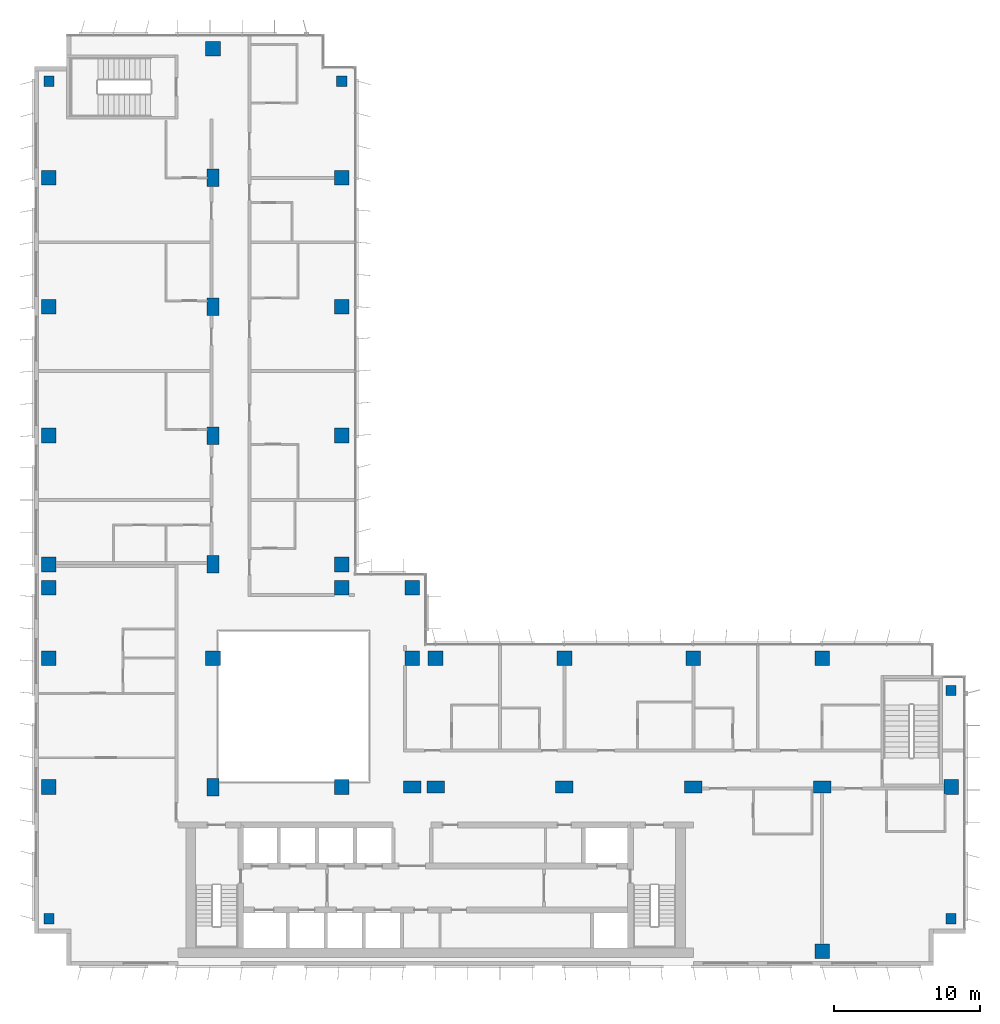
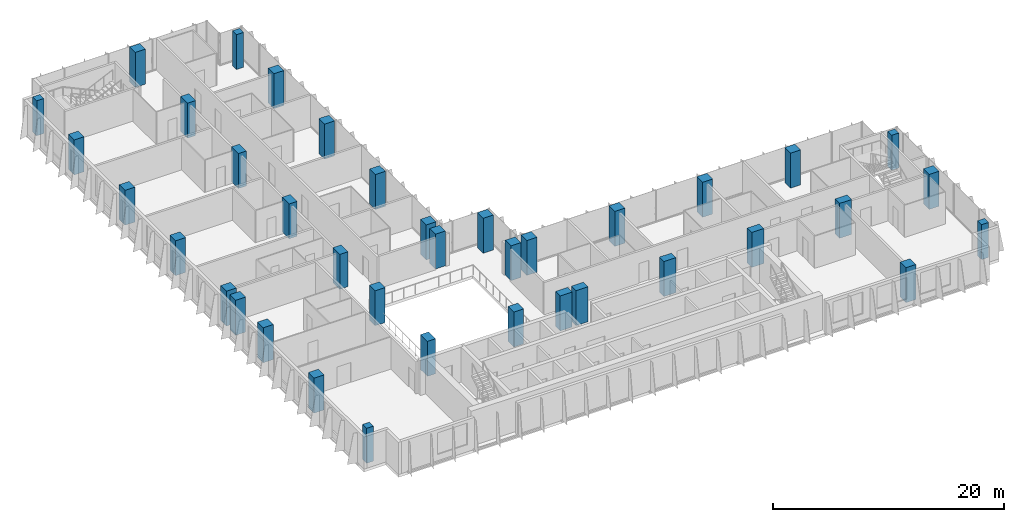
# One storey, part 1 of 20: 38 columns.
"""IFC4 building model written with IfcOpenShell, lengths in metres."""

from ifc_helpers import new_model, si_unit, direction, frame, origin, origin_2d, place, context, subcontext, project, spatial, rectangle, extrude, material, material_profile, profile_set, type_object, element, save


model = new_model("IFC4")

# Units and contexts
model_context = context("Model", 3, precision=1e-05, world=origin(), true_north=direction((0.0, 1.0)))
body_context = subcontext(model_context, "Body", "Model", "MODEL_VIEW")
ifc_project = project(units=[si_unit("LENGTHUNIT", "METRE"), si_unit("AREAUNIT", "SQUARE_METRE"), si_unit("VOLUMEUNIT", "CUBIC_METRE"), si_unit("PLANEANGLEUNIT", "RADIAN"), si_unit("MASSUNIT", "GRAM", prefix="KILO")], contexts=[model_context])

# Site, building, storey
site_placement = place(None, origin())
site = spatial("IfcSite", under=ifc_project, at=site_placement, CompositionType="ELEMENT")
building_placement = place(site_placement, origin())
building = spatial("IfcBuilding", under=site, at=building_placement, Name="Kemantara Hotel Tower", CompositionType="ELEMENT")
storey_placement = place(building_placement, frame((0.0, 0.0, 186.39990234375)))
storey = spatial("IfcBuildingStorey", under=building, at=storey_placement, Name="L46", CompositionType="ELEMENT", Elevation=186.39990234375)

# Columns
ifc_material = material(Name="Concrete fc 60 MPa", Category="concrete")
ifc_material_profile_1 = material_profile(ifc_material, rectangle(XDim=1.0, YDim=1.0, at=origin_2d()), Name="RC 1000X1000")
ifc_profile_set_1 = profile_set([ifc_material_profile_1], Name="Concrete fc 60 MPa")
column_type_1 = type_object("IfcColumnType", Name="RC COLUMN 1000X1000 FC60", PredefinedType="COLUMN", material=ifc_profile_set_1)
for number, where, z_axis, x_axis, name in (
    (1, (1.0, 12.199951171875, 0.0), (0.0, 0.0, 1.0), (1.0, 0.0, 0.0), "COLUMN 1/BA L46"),
    (2, (1.0, 21.0, 0.0), (0.0, 0.0, 1.0), (1.0, 0.0, 0.0), "COLUMN 1/C L46"),
    (3, (1.0, 25.800048828125, 0.0), (0.0, 0.0, 1.0), (1.0, 0.0, 0.0), "COLUMN 1/CA L46"),
    (4, (1.0, 27.39990234375, 0.0), (0.0, 0.0, 1.0), (1.0, 0.0, 0.0), "COLUMN 1/D L46"),
    (5, (1.0, 36.199951171875, 0.0), (0.0, 0.0, 1.0), (1.0, 0.0, 0.0), "COLUMN 1/E L46"),
    (6, (1.0, 45.0, 0.0), (0.0, 0.0, 1.0), (1.0, 0.0, 0.0), "COLUMN 1/F L46"),
    (7, (1.0, 53.800048828125, 0.0), (0.0, 0.0, 1.0), (1.0, 0.0, 0.0), "COLUMN 1/G L46"),
    (8, (12.199951171875, 21.0, 0.0), (0.0, 0.0, 1.0), (1.0, 0.0, 0.0), "COLUMN 2A/C L46"),
    (9, (12.199951171875, 62.60009765625, 0.0), (0.0, 0.0, 1.0), (1.0, 0.0, 0.0), "COLUMN 2A/H L46"),
    (10, (21.0, 12.199951171875, 0.0), (0.0, 0.0, 1.0), (1.0, 0.0, 0.0), "COLUMN 3/BA L46"),
    (11, (21.0, 25.800048828125, 0.0), (0.0, 0.0, 1.0), (1.0, 0.0, 0.0), "COLUMN 3/CA L46"),
    (12, (21.0, 27.39990234375, 0.0), (0.0, 0.0, 1.0), (1.0, 0.0, 0.0), "COLUMN 3/D L46"),
    (13, (21.0, 36.199951171875, 0.0), (0.0, 0.0, 1.0), (1.0, 0.0, 0.0), "COLUMN 3/E L46"),
    (14, (21.0, 45.0, 0.0), (0.0, 0.0, 1.0), (1.0, 0.0, 0.0), "COLUMN 3/F L46"),
    (15, (21.0, 53.800048828125, 0.0), (0.0, 0.0, 1.0), (1.0, 0.0, 0.0), "COLUMN 3/G L46"),
    (16, (25.800048828125, 21.0, 0.0), (0.0, 0.0, 1.0), (1.0, 0.0, 0.0), "COLUMN 3A/C L46"),
    (17, (25.800048828125, 25.800048828125, 0.0), (0.0, 0.0, 1.0), (1.0, 0.0, 0.0), "COLUMN 3A/CA L46"),
    (18, (27.39990234375, 21.0, 0.0), (0.0, 0.0, 1.0), (1.0, 0.0, 0.0), "COLUMN 4/C L46"),
    (19, (36.199951171875, 21.0, 0.0), (0.0, 0.0, 1.0), (1.0, 0.0, 0.0), "COLUMN 5/C L46"),
    (20, (45.0, 21.0, 0.0), (0.0, 0.0, 1.0), (1.0, 0.0, 0.0), "COLUMN 6/C L46"),
    (21, (53.800048828125, 1.0, 0.0), (0.0, 0.0, 1.0), (1.0, 0.0, 0.0), "COLUMN 7/A L46"),
    (22, (53.800048828125, 21.0, 0.0), (0.0, 0.0, 1.0), (1.0, 0.0, 0.0), "COLUMN 7/C L46"),
    (23, (62.60009765625, 12.199951171875, 0.0), (0.0, 0.0, 1.0), (1.0, 0.0, 0.0), "COLUMN 8/BA L46"),
):
    element("IfcColumn", number, at=place(storey_placement, frame(where, z_axis=z_axis, x_axis=x_axis)), inside=storey, type_object=column_type_1, Name=name, PredefinedType="COLUMN", context=body_context, shape_type="SweptSolid", body=[
        extrude(rectangle(XDim=1.0, YDim=1.0, at=origin_2d()), origin(), (0.0, 0.0, 1.0), 3.7001953125),
    ])
ifc_material_profile_2 = material_profile(ifc_material, rectangle(XDim=1.199951171875, YDim=0.800048828125, at=origin_2d()), Name="RC 1200X800")
ifc_profile_set_2 = profile_set([ifc_material_profile_2], Name="Concrete fc 60 MPa")
column_type_2 = type_object("IfcColumnType", Name="RC COLUMN 1200X800 FC60", PredefinedType="COLUMN", material=ifc_profile_set_2)
for number, where, z_axis, x_axis, name in (
    (24, (12.199951171875, 12.199951171875, 0.0), (0.0, 0.0, 1.0), (0.0, 1.0, 0.0), "COLUMN 2A/BA L46"),
    (25, (12.199951171875, 27.39990234375, 0.0), (0.0, 0.0, 1.0), (0.0, 1.0, 0.0), "COLUMN 2A/D L46"),
    (26, (12.199951171875, 36.199951171875, 0.0), (0.0, 0.0, 1.0), (0.0, 1.0, 0.0), "COLUMN 2A/E L46"),
    (27, (12.199951171875, 45.0, 0.0), (0.0, 0.0, 1.0), (0.0, 1.0, 0.0), "COLUMN 2A/F L46"),
    (28, (12.199951171875, 53.800048828125, 0.0), (0.0, 0.0, 1.0), (0.0, 1.0, 0.0), "COLUMN 2A/G L46"),
    (29, (25.800048828125, 12.199951171875, 0.0), (0.0, 0.0, 1.0), (1.0, 0.0, 0.0), "COLUMN 3A/BA L46"),
    (30, (27.39990234375, 12.199951171875, 0.0), (0.0, 0.0, 1.0), (1.0, 0.0, 0.0), "COLUMN 4/BA L46"),
    (31, (36.199951171875, 12.199951171875, 0.0), (0.0, 0.0, 1.0), (1.0, 0.0, 0.0), "COLUMN 5/BA L46"),
    (32, (45.0, 12.199951171875, 0.0), (0.0, 0.0, 1.0), (1.0, 0.0, 0.0), "COLUMN 6/BA L46"),
    (33, (53.800048828125, 12.199951171875, 0.0), (0.0, 0.0, 1.0), (1.0, 0.0, 0.0), "COLUMN 7/BA L46"),
):
    element("IfcColumn", number, at=place(storey_placement, frame(where, z_axis=z_axis, x_axis=x_axis)), inside=storey, type_object=column_type_2, Name=name, PredefinedType="COLUMN", context=body_context, shape_type="SweptSolid", body=[
        extrude(rectangle(XDim=1.199951171875, YDim=0.800048828125, at=origin_2d()), origin(), (0.0, 0.0, 1.0), 3.7001953125),
    ])
ifc_material_profile_3 = material_profile(ifc_material, rectangle(XDim=0.699951171875, YDim=0.699951171875, at=origin_2d()), Name="RC 700X700")
ifc_profile_set_3 = profile_set([ifc_material_profile_3], Name="Concrete fc 60 MPa")
column_type_3 = type_object("IfcColumnType", Name="RC COLUMN 700X700 FC60", PredefinedType="COLUMN", material=ifc_profile_set_3)
for number, where, z_axis, x_axis, name in (
    (34, (1.0, 3.199951171875, 0.0), (0.0, 0.0, 1.0), (1.0, 0.0, 0.0), "COLUMN notch corner L46"),
    (35, (1.0, 60.39990234375, 0.0), (0.0, 0.0, 1.0), (1.0, 0.0, 0.0), "COLUMN notch corner L46"),
    (36, (21.0, 60.39990234375, 0.0), (0.0, 0.0, 1.0), (1.0, 0.0, 0.0), "COLUMN notch corner L46"),
    (37, (62.60009765625, 3.199951171875, 0.0), (0.0, 0.0, 1.0), (1.0, 0.0, 0.0), "COLUMN notch corner L46"),
    (38, (62.60009765625, 18.800048828125, 0.0), (0.0, 0.0, 1.0), (1.0, 0.0, 0.0), "COLUMN notch corner L46"),
):
    element("IfcColumn", number, at=place(storey_placement, frame(where, z_axis=z_axis, x_axis=x_axis)), inside=storey, type_object=column_type_3, Name=name, PredefinedType="COLUMN", context=body_context, shape_type="SweptSolid", body=[
        extrude(rectangle(XDim=0.699951171875, YDim=0.699951171875, at=origin_2d()), origin(), (0.0, 0.0, 1.0), 3.7001953125),
    ])

save(model, "model.ifc")
